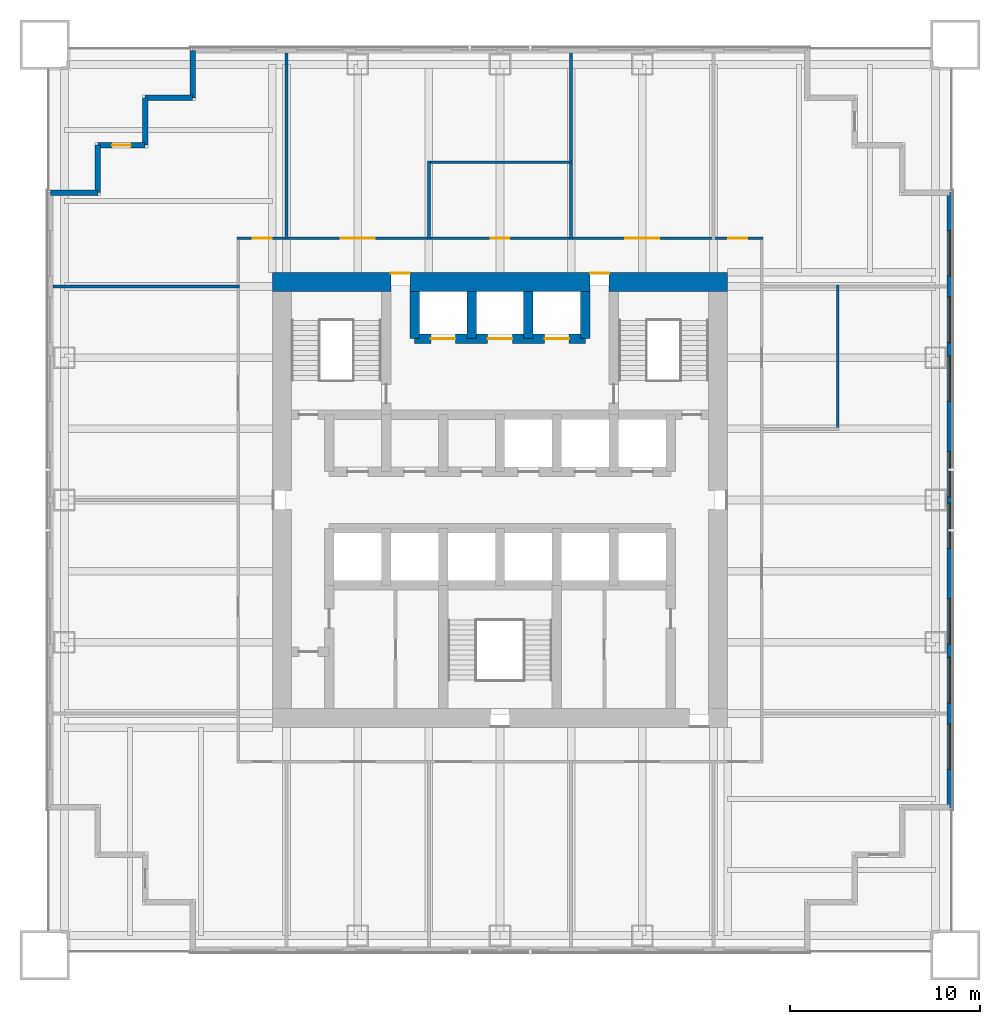
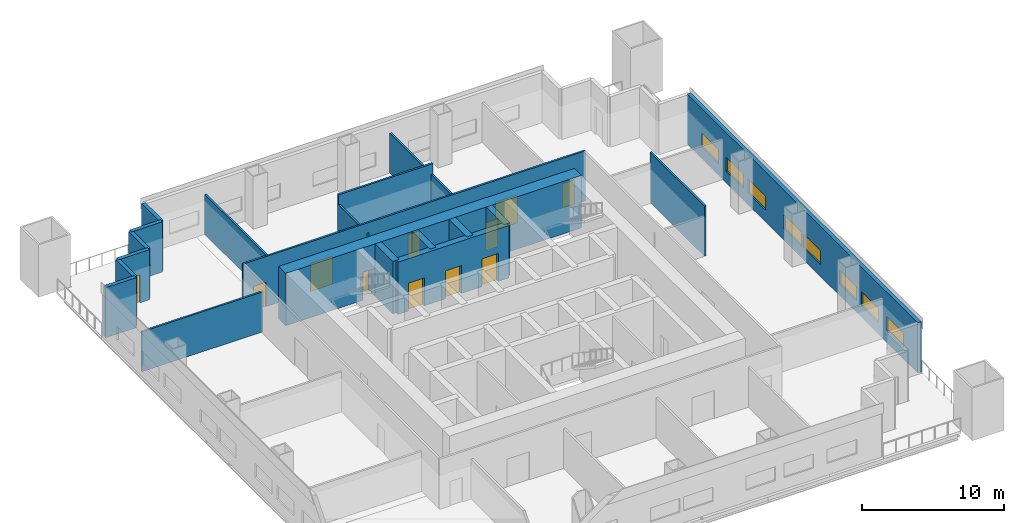
# One storey, part 4 of 7: 20 walls, 11 doors, 8 windows, 19 openings.
"""IFC4 building model written with IfcOpenShell, lengths in metres."""

from ifc_helpers import new_model, si_unit, direction, frame, frame_2d, origin, place, context, subcontext, project, spatial, rectangle, extrude, material, layer, layer_set, type_object, element, fill, save


model = new_model("IFC4")

# Units and contexts
model_context = context("Model", 3, precision=1e-05, world=origin(), true_north=direction((0.0, 1.0)))
body_context = subcontext(model_context, "Body", "Model", "MODEL_VIEW")
ifc_project = project(units=[si_unit("LENGTHUNIT", "METRE"), si_unit("AREAUNIT", "SQUARE_METRE"), si_unit("VOLUMEUNIT", "CUBIC_METRE"), si_unit("PLANEANGLEUNIT", "RADIAN"), si_unit("MASSUNIT", "GRAM", prefix="KILO")], contexts=[model_context])

# Site, building, storey
site_placement = place(None, origin())
site = spatial("IfcSite", under=ifc_project, at=site_placement, CompositionType="ELEMENT")
building_placement = place(site_placement, origin())
building = spatial("IfcBuilding", under=site, at=building_placement, Name="Tarangal Relay Tower", CompositionType="ELEMENT")
storey_placement = place(building_placement, frame((0.0, 0.0, 122.39990234375)))
storey = spatial("IfcBuildingStorey", under=building, at=storey_placement, Name="L24", CompositionType="ELEMENT", Elevation=122.39990234375)

# Wall, openings, doors
ifc_material_1 = material(Name="Concrete fc' 60 MPa", Category="concrete")
ifc_layer_1 = layer(ifc_material_1, 0.5)
ifc_layer_set_1 = layer_set([ifc_layer_1], Name="Core inner wall 500")
wall_type_1 = type_object("IfcWallType", Name="Core inner wall 500", PredefinedType="SHEAR", material=ifc_layer_set_1)
wall_1_placement = place(storey_placement, frame((-4.5, 8.5, 0.0), z_axis=(0.0, 0.0, 1.0), x_axis=(1.0, 0.0, 0.0)))
wall_1 = element("IfcWall", 1, at=wall_1_placement, inside=storey, type_object=wall_type_1, Name="Core wall Y85 L24", PredefinedType="SHEAR", context=body_context, shape_type="SweptSolid", body=[
    extrude(rectangle(XDim=9.0, YDim=0.5, at=frame_2d((4.5, 0.0))), origin(), (0.0, 0.0, 1.0), 4.5),
])
opening_1_placement = place(wall_1_placement, frame((0.85009765625, 0.0, 0.0)))
opening_1 = element("IfcOpeningElement", 2, at=opening_1_placement, cuts=wall_1, Name="Opening LD2", PredefinedType="OPENING", context=body_context, shape_type="SweptSolid", body=[
    extrude(rectangle(XDim=1.300048828125, YDim=2.39990234375, at=frame_2d((0.64990234375, 1.199951171875))), frame((0.0, 0.260009765625, 0.0), z_axis=(0.0, -1.0, 0.0), x_axis=(1.0, 0.0, 0.0)), (0.0, 0.0, 1.0), 0.52001953125),
])
opening_2_placement = place(wall_1_placement, frame((6.85009765625, 0.0, 0.0)))
opening_2 = element("IfcOpeningElement", 3, at=opening_2_placement, cuts=wall_1, Name="Opening LD2", PredefinedType="OPENING", context=body_context, shape_type="SweptSolid", body=[
    extrude(rectangle(XDim=1.300048828125, YDim=2.39990234375, at=frame_2d((0.64990234375, 1.199951171875))), frame((0.0, 0.260009765625, 0.0), z_axis=(0.0, -1.0, 0.0), x_axis=(1.0, 0.0, 0.0)), (0.0, 0.0, 1.0), 0.52001953125),
])
opening_3_placement = place(wall_1_placement, frame((3.85009765625, 0.0, 0.0)))
opening_3 = element("IfcOpeningElement", 4, at=opening_3_placement, cuts=wall_1, Name="Opening LD2", PredefinedType="OPENING", context=body_context, shape_type="SweptSolid", body=[
    extrude(rectangle(XDim=1.300048828125, YDim=2.39990234375, at=frame_2d((0.64990234375, 1.199951171875))), frame((0.0, 0.260009765625, 0.0), z_axis=(0.0, -1.0, 0.0), x_axis=(1.0, 0.0, 0.0)), (0.0, 0.0, 1.0), 0.52001953125),
])
ifc_material_2 = material(Name="Steel door with hardwood frame", Category="steel")
door_type_1 = type_object("IfcDoorType", Name="Lift landing door 1300 x 2400", OperationType="SLIDING_TO_LEFT", PredefinedType="DOOR", material=ifc_material_2)
door_1_placement = place(opening_1_placement, origin())
door_1 = element("IfcDoor", 5, at=door_1_placement, inside=storey, type_object=door_type_1, Name="Lift FF1 landing door L24", OperationType="SLIDING_TO_LEFT", OverallHeight=2.39990234375, OverallWidth=1.300048828125, PredefinedType="DOOR", context=body_context, shape_type="SweptSolid", body=[
    extrude(rectangle(XDim=1.300048828125, YDim=2.39990234375, at=frame_2d((0.64990234375, 1.199951171875))), frame((0.0, 0.02490234375, 0.0), z_axis=(0.0, -1.0, 0.0), x_axis=(1.0, 0.0, 0.0)), (0.0, 0.0, 1.0), 0.050048828125),
])
fill(opening_1, door_1)
door_2_placement = place(opening_2_placement, origin())
door_2 = element("IfcDoor", 6, at=door_2_placement, inside=storey, type_object=door_type_1, Name="Lift FF2 landing door L24", OperationType="SLIDING_TO_LEFT", OverallHeight=2.39990234375, OverallWidth=1.300048828125, PredefinedType="DOOR", context=body_context, shape_type="SweptSolid", body=[
    extrude(rectangle(XDim=1.300048828125, YDim=2.39990234375, at=frame_2d((0.64990234375, 1.199951171875))), frame((0.0, 0.02490234375, 0.0), z_axis=(0.0, -1.0, 0.0), x_axis=(1.0, 0.0, 0.0)), (0.0, 0.0, 1.0), 0.050048828125),
])
fill(opening_2, door_2)
door_3_placement = place(opening_3_placement, origin())
door_3 = element("IfcDoor", 7, at=door_3_placement, inside=storey, type_object=door_type_1, Name="Lift SV1 landing door L24", OperationType="SLIDING_TO_LEFT", OverallHeight=2.39990234375, OverallWidth=1.300048828125, PredefinedType="DOOR", context=body_context, shape_type="SweptSolid", body=[
    extrude(rectangle(XDim=1.300048828125, YDim=2.39990234375, at=frame_2d((0.64990234375, 1.199951171875))), frame((0.0, 0.02490234375, 0.0), z_axis=(0.0, -1.0, 0.0), x_axis=(1.0, 0.0, 0.0)), (0.0, 0.0, 1.0), 0.050048828125),
])
fill(opening_3, door_3)

# Walls
for number, where, z_axis, x_axis, name in (
    (8, (-4.5, 8.5, 0.0), (0.0, 0.0, 1.0), (0.0, 1.0, 0.0), "Core wall XM45 L24"),
    (9, (4.5, 8.5, 0.0), (0.0, 0.0, 1.0), (0.0, 1.0, 0.0), "Core wall X45 L24"),
    (10, (-1.5, 8.5, 0.0), (0.0, 0.0, 1.0), (0.0, 1.0, 0.0), "Core wall XM15 L24"),
    (11, (1.5, 8.5, 0.0), (0.0, 0.0, 1.0), (0.0, 1.0, 0.0), "Core wall X15 L24"),
):
    element("IfcWall", number, at=place(storey_placement, frame(where, z_axis=z_axis, x_axis=x_axis)), inside=storey, type_object=wall_type_1, Name=name, PredefinedType="SHEAR", context=body_context, shape_type="SweptSolid", body=[
        extrude(rectangle(XDim=2.5, YDim=0.5, at=frame_2d((1.25, 0.0))), origin(), (0.0, 0.0, 1.0), 4.5),
    ])

# Wall, openings, doors
ifc_layer_2 = layer(ifc_material_1, 1.0)
ifc_layer_set_2 = layer_set([ifc_layer_2], Name="Core wall 1000")
wall_type_2 = type_object("IfcWallType", Name="Core wall 1000", PredefinedType="SHEAR", material=ifc_layer_set_2)
wall_2_placement = place(storey_placement, frame((-12.0, 11.5, 0.0), z_axis=(0.0, 0.0, 1.0), x_axis=(1.0, 0.0, 0.0)))
wall_2 = element("IfcWall", 12, at=wall_2_placement, inside=storey, type_object=wall_type_2, Name="Core wall N L24", PredefinedType="SHEAR", context=body_context, shape_type="SweptSolid", body=[
    extrude(rectangle(XDim=24.0, YDim=1.0, at=frame_2d((12.0, 0.0))), origin(), (0.0, 0.0, 1.0), 4.5),
])
opening_4_placement = place(wall_2_placement, frame((6.25, 0.0, 0.0)))
opening_4 = element("IfcOpeningElement", 13, at=opening_4_placement, cuts=wall_2, Name="Opening FD3", PredefinedType="OPENING", context=body_context, shape_type="SweptSolid", body=[
    extrude(rectangle(XDim=1.0, YDim=2.39990234375, at=frame_2d((0.5, 1.199951171875))), frame((0.0, 0.510009765625, 0.0), z_axis=(0.0, -1.0, 0.0), x_axis=(1.0, 0.0, 0.0)), (0.0, 0.0, 1.0), 1.02001953125),
])
opening_5_placement = place(wall_2_placement, frame((16.75, 0.0, 0.0)))
opening_5 = element("IfcOpeningElement", 14, at=opening_5_placement, cuts=wall_2, Name="Opening FD3", PredefinedType="OPENING", context=body_context, shape_type="SweptSolid", body=[
    extrude(rectangle(XDim=1.0, YDim=2.39990234375, at=frame_2d((0.5, 1.199951171875))), frame((0.0, 0.510009765625, 0.0), z_axis=(0.0, -1.0, 0.0), x_axis=(1.0, 0.0, 0.0)), (0.0, 0.0, 1.0), 1.02001953125),
])
door_type_2 = type_object("IfcDoorType", Name="Fire door 1000 x 2400 core entry", OperationType="SINGLE_SWING_RIGHT", PredefinedType="DOOR", material=ifc_material_2)
door_4_placement = place(opening_4_placement, origin())
door_4 = element("IfcDoor", 15, at=door_4_placement, inside=storey, type_object=door_type_2, Name="Core entry door north west L24", OperationType="SINGLE_SWING_RIGHT", OverallHeight=2.39990234375, OverallWidth=1.0, PredefinedType="DOOR", context=body_context, shape_type="SweptSolid", body=[
    extrude(rectangle(XDim=1.0, YDim=2.39990234375, at=frame_2d((0.5, 1.199951171875))), frame((0.0, 0.48486328125, 0.0), z_axis=(0.0, -1.0, 0.0), x_axis=(1.0, 0.0, 0.0)), (0.0, 0.0, 1.0), 0.050048828125),
])
fill(opening_4, door_4)
door_5_placement = place(opening_5_placement, origin())
door_5 = element("IfcDoor", 16, at=door_5_placement, inside=storey, type_object=door_type_2, Name="Core entry door north east L24", OperationType="SINGLE_SWING_RIGHT", OverallHeight=2.39990234375, OverallWidth=1.0, PredefinedType="DOOR", context=body_context, shape_type="SweptSolid", body=[
    extrude(rectangle(XDim=1.0, YDim=2.39990234375, at=frame_2d((0.5, 1.199951171875))), frame((0.0, 0.48486328125, 0.0), z_axis=(0.0, -1.0, 0.0), x_axis=(1.0, 0.0, 0.0)), (0.0, 0.0, 1.0), 0.050048828125),
])
fill(opening_5, door_5)

# Wall, openings, windows
ifc_material_3 = material(Name="Insulated precast concrete fc' 40 MPa", Category="concrete")
ifc_layer_3 = layer(ifc_material_3, 0.300048828125)
ifc_layer_set_3 = layer_set([ifc_layer_3], Name="Insulated precast concrete fc' 40 MPa")
wall_type_3 = type_object("IfcWallType", Name="Facade wall precast 300", PredefinedType="SOLIDWALL", material=ifc_layer_set_3)
wall_3_placement = place(storey_placement, frame((23.699951171875, 16.199951171875, 0.0), z_axis=(0.0, 0.0, 1.0), x_axis=(0.0, -1.0, 0.0)))
wall_3 = element("IfcWall", 17, at=wall_3_placement, inside=storey, type_object=wall_type_3, Name="Facade wall E facade L24", PredefinedType="SOLIDWALL", context=body_context, shape_type="SweptSolid", body=[
    extrude(rectangle(XDim=32.39990234375, YDim=0.300048828125, at=frame_2d((16.199951171875, 0.0))), origin(), (0.0, 0.0, 1.0), 4.300048828125),
])
opening_6_placement = place(wall_3_placement, frame((2.0, 0.0, 1.0)))
opening_6 = element("IfcOpeningElement", 18, at=opening_6_placement, cuts=wall_3, Name="Opening WN1", PredefinedType="OPENING", context=body_context, shape_type="SweptSolid", body=[
    extrude(rectangle(XDim=2.39990234375, YDim=1.199951171875, at=frame_2d((1.199951171875, 0.60009765625))), frame((0.0, 0.159912109375, 0.0), z_axis=(0.0, -1.0, 0.0), x_axis=(1.0, 0.0, 0.0)), (0.0, 0.0, 1.0), 0.320068359375),
])
opening_7_placement = place(wall_3_placement, frame((5.5, 0.0, 1.0)))
opening_7 = element("IfcOpeningElement", 19, at=opening_7_placement, cuts=wall_3, Name="Opening WN1", PredefinedType="OPENING", context=body_context, shape_type="SweptSolid", body=[
    extrude(rectangle(XDim=2.39990234375, YDim=1.199951171875, at=frame_2d((1.199951171875, 0.60009765625))), frame((0.0, 0.159912109375, 0.0), z_axis=(0.0, -1.0, 0.0), x_axis=(1.0, 0.0, 0.0)), (0.0, 0.0, 1.0), 0.320068359375),
])
opening_8_placement = place(wall_3_placement, frame((8.60009765625, 0.0, 1.0)))
opening_8 = element("IfcOpeningElement", 20, at=opening_8_placement, cuts=wall_3, Name="Opening WN1", PredefinedType="OPENING", context=body_context, shape_type="SweptSolid", body=[
    extrude(rectangle(XDim=2.39990234375, YDim=1.199951171875, at=frame_2d((1.199951171875, 0.60009765625))), frame((0.0, 0.159912109375, 0.0), z_axis=(0.0, -1.0, 0.0), x_axis=(1.0, 0.0, 0.0)), (0.0, 0.0, 1.0), 0.320068359375),
])
opening_9_placement = place(wall_3_placement, frame((13.64990234375, 0.0, 1.0)))
opening_9 = element("IfcOpeningElement", 21, at=opening_9_placement, cuts=wall_3, Name="Opening WN1", PredefinedType="OPENING", context=body_context, shape_type="SweptSolid", body=[
    extrude(rectangle(XDim=2.39990234375, YDim=1.199951171875, at=frame_2d((1.199951171875, 0.60009765625))), frame((0.0, 0.159912109375, 0.0), z_axis=(0.0, -1.0, 0.0), x_axis=(1.0, 0.0, 0.0)), (0.0, 0.0, 1.0), 0.320068359375),
])
opening_10_placement = place(wall_3_placement, frame((16.35009765625, 0.0, 1.0)))
opening_10 = element("IfcOpeningElement", 22, at=opening_10_placement, cuts=wall_3, Name="Opening WN1", PredefinedType="OPENING", context=body_context, shape_type="SweptSolid", body=[
    extrude(rectangle(XDim=2.39990234375, YDim=1.199951171875, at=frame_2d((1.199951171875, 0.60009765625))), frame((0.0, 0.159912109375, 0.0), z_axis=(0.0, -1.0, 0.0), x_axis=(1.0, 0.0, 0.0)), (0.0, 0.0, 1.0), 0.320068359375),
])
opening_11_placement = place(wall_3_placement, frame((21.39990234375, 0.0, 1.0)))
opening_11 = element("IfcOpeningElement", 23, at=opening_11_placement, cuts=wall_3, Name="Opening WN1", PredefinedType="OPENING", context=body_context, shape_type="SweptSolid", body=[
    extrude(rectangle(XDim=2.39990234375, YDim=1.199951171875, at=frame_2d((1.199951171875, 0.60009765625))), frame((0.0, 0.159912109375, 0.0), z_axis=(0.0, -1.0, 0.0), x_axis=(1.0, 0.0, 0.0)), (0.0, 0.0, 1.0), 0.320068359375),
])
opening_12_placement = place(wall_3_placement, frame((24.5, 0.0, 1.0)))
opening_12 = element("IfcOpeningElement", 24, at=opening_12_placement, cuts=wall_3, Name="Opening WN1", PredefinedType="OPENING", context=body_context, shape_type="SweptSolid", body=[
    extrude(rectangle(XDim=2.39990234375, YDim=1.199951171875, at=frame_2d((1.199951171875, 0.60009765625))), frame((0.0, 0.159912109375, 0.0), z_axis=(0.0, -1.0, 0.0), x_axis=(1.0, 0.0, 0.0)), (0.0, 0.0, 1.0), 0.320068359375),
])
opening_13_placement = place(wall_3_placement, frame((28.0, 0.0, 1.0)))
opening_13 = element("IfcOpeningElement", 25, at=opening_13_placement, cuts=wall_3, Name="Opening WN1", PredefinedType="OPENING", context=body_context, shape_type="SweptSolid", body=[
    extrude(rectangle(XDim=2.39990234375, YDim=1.199951171875, at=frame_2d((1.199951171875, 0.60009765625))), frame((0.0, 0.159912109375, 0.0), z_axis=(0.0, -1.0, 0.0), x_axis=(1.0, 0.0, 0.0)), (0.0, 0.0, 1.0), 0.320068359375),
])
ifc_material_4 = material(Name="Dark tinted double glazing in black aluminium frame", Category="aluminium")
window_type = type_object("IfcWindowType", Name="Ribbon window 2400 x 1200", PartitioningType="SINGLE_PANEL", PredefinedType="WINDOW", material=ifc_material_4)
window_1_placement = place(opening_6_placement, origin())
window_1 = element("IfcWindow", 26, at=window_1_placement, inside=storey, type_object=window_type, Name="Ribbon window WN1 E facade L24", OverallHeight=1.199951171875, OverallWidth=2.39990234375, PartitioningType="SINGLE_PANEL", PredefinedType="WINDOW", context=body_context, shape_type="SweptSolid", body=[
    extrude(rectangle(XDim=2.39990234375, YDim=1.199951171875, at=frame_2d((1.199951171875, 0.60009765625))), frame((0.0, 0.030029296875, 0.0), z_axis=(0.0, -1.0, 0.0), x_axis=(1.0, 0.0, 0.0)), (0.0, 0.0, 1.0), 0.06005859375),
])
fill(opening_6, window_1)
window_2_placement = place(opening_7_placement, origin())
window_2 = element("IfcWindow", 27, at=window_2_placement, inside=storey, type_object=window_type, Name="Ribbon window WN1 E facade L24", OverallHeight=1.199951171875, OverallWidth=2.39990234375, PartitioningType="SINGLE_PANEL", PredefinedType="WINDOW", context=body_context, shape_type="SweptSolid", body=[
    extrude(rectangle(XDim=2.39990234375, YDim=1.199951171875, at=frame_2d((1.199951171875, 0.60009765625))), frame((0.0, 0.030029296875, 0.0), z_axis=(0.0, -1.0, 0.0), x_axis=(1.0, 0.0, 0.0)), (0.0, 0.0, 1.0), 0.06005859375),
])
fill(opening_7, window_2)
window_3_placement = place(opening_8_placement, origin())
window_3 = element("IfcWindow", 28, at=window_3_placement, inside=storey, type_object=window_type, Name="Ribbon window WN1 E facade L24", OverallHeight=1.199951171875, OverallWidth=2.39990234375, PartitioningType="SINGLE_PANEL", PredefinedType="WINDOW", context=body_context, shape_type="SweptSolid", body=[
    extrude(rectangle(XDim=2.39990234375, YDim=1.199951171875, at=frame_2d((1.199951171875, 0.60009765625))), frame((0.0, 0.030029296875, 0.0), z_axis=(0.0, -1.0, 0.0), x_axis=(1.0, 0.0, 0.0)), (0.0, 0.0, 1.0), 0.06005859375),
])
fill(opening_8, window_3)
window_4_placement = place(opening_9_placement, origin())
window_4 = element("IfcWindow", 29, at=window_4_placement, inside=storey, type_object=window_type, Name="Ribbon window WN1 E facade L24", OverallHeight=1.199951171875, OverallWidth=2.39990234375, PartitioningType="SINGLE_PANEL", PredefinedType="WINDOW", context=body_context, shape_type="SweptSolid", body=[
    extrude(rectangle(XDim=2.39990234375, YDim=1.199951171875, at=frame_2d((1.199951171875, 0.60009765625))), frame((0.0, 0.030029296875, 0.0), z_axis=(0.0, -1.0, 0.0), x_axis=(1.0, 0.0, 0.0)), (0.0, 0.0, 1.0), 0.06005859375),
])
fill(opening_9, window_4)
window_5_placement = place(opening_10_placement, origin())
window_5 = element("IfcWindow", 30, at=window_5_placement, inside=storey, type_object=window_type, Name="Ribbon window WN1 E facade L24", OverallHeight=1.199951171875, OverallWidth=2.39990234375, PartitioningType="SINGLE_PANEL", PredefinedType="WINDOW", context=body_context, shape_type="SweptSolid", body=[
    extrude(rectangle(XDim=2.39990234375, YDim=1.199951171875, at=frame_2d((1.199951171875, 0.60009765625))), frame((0.0, 0.030029296875, 0.0), z_axis=(0.0, -1.0, 0.0), x_axis=(1.0, 0.0, 0.0)), (0.0, 0.0, 1.0), 0.06005859375),
])
fill(opening_10, window_5)
window_6_placement = place(opening_11_placement, origin())
window_6 = element("IfcWindow", 31, at=window_6_placement, inside=storey, type_object=window_type, Name="Ribbon window WN1 E facade L24", OverallHeight=1.199951171875, OverallWidth=2.39990234375, PartitioningType="SINGLE_PANEL", PredefinedType="WINDOW", context=body_context, shape_type="SweptSolid", body=[
    extrude(rectangle(XDim=2.39990234375, YDim=1.199951171875, at=frame_2d((1.199951171875, 0.60009765625))), frame((0.0, 0.030029296875, 0.0), z_axis=(0.0, -1.0, 0.0), x_axis=(1.0, 0.0, 0.0)), (0.0, 0.0, 1.0), 0.06005859375),
])
fill(opening_11, window_6)
window_7_placement = place(opening_12_placement, origin())
window_7 = element("IfcWindow", 32, at=window_7_placement, inside=storey, type_object=window_type, Name="Ribbon window WN1 E facade L24", OverallHeight=1.199951171875, OverallWidth=2.39990234375, PartitioningType="SINGLE_PANEL", PredefinedType="WINDOW", context=body_context, shape_type="SweptSolid", body=[
    extrude(rectangle(XDim=2.39990234375, YDim=1.199951171875, at=frame_2d((1.199951171875, 0.60009765625))), frame((0.0, 0.030029296875, 0.0), z_axis=(0.0, -1.0, 0.0), x_axis=(1.0, 0.0, 0.0)), (0.0, 0.0, 1.0), 0.06005859375),
])
fill(opening_12, window_7)
window_8_placement = place(opening_13_placement, origin())
window_8 = element("IfcWindow", 33, at=window_8_placement, inside=storey, type_object=window_type, Name="Ribbon window WN1 E facade L24", OverallHeight=1.199951171875, OverallWidth=2.39990234375, PartitioningType="SINGLE_PANEL", PredefinedType="WINDOW", context=body_context, shape_type="SweptSolid", body=[
    extrude(rectangle(XDim=2.39990234375, YDim=1.199951171875, at=frame_2d((1.199951171875, 0.60009765625))), frame((0.0, 0.030029296875, 0.0), z_axis=(0.0, -1.0, 0.0), x_axis=(1.0, 0.0, 0.0)), (0.0, 0.0, 1.0), 0.06005859375),
])
fill(opening_13, window_8)

# Walls
for number, where, z_axis, x_axis, name in (
    (34, (-23.699951171875, 16.199951171875, 0.0), (0.0, 0.0, 1.0), (1.0, 0.0, 0.0), "Facade wall W facade L24"),
    (35, (-21.199951171875, 16.199951171875, 0.0), (0.0, 0.0, 1.0), (0.0, 1.0, 0.0), "Facade wall W facade L24"),
):
    element("IfcWall", number, at=place(storey_placement, frame(where, z_axis=z_axis, x_axis=x_axis)), inside=storey, type_object=wall_type_3, Name=name, PredefinedType="SOLIDWALL", context=body_context, shape_type="SweptSolid", body=[
        extrude(rectangle(XDim=2.5, YDim=0.300048828125, at=frame_2d((1.25, 0.0))), origin(), (0.0, 0.0, 1.0), 4.300048828125),
    ])

# Wall, opening, door
wall_4_placement = place(storey_placement, frame((-21.199951171875, 18.699951171875, 0.0), z_axis=(0.0, 0.0, 1.0), x_axis=(1.0, 0.0, 0.0)))
wall_4 = element("IfcWall", 36, at=wall_4_placement, inside=storey, type_object=wall_type_3, Name="Facade wall W facade L24", PredefinedType="SOLIDWALL", context=body_context, shape_type="SweptSolid", body=[
    extrude(rectangle(XDim=2.5, YDim=0.300048828125, at=frame_2d((1.25, 0.0))), origin(), (0.0, 0.0, 1.0), 4.300048828125),
])
opening_14_placement = place(wall_4_placement, frame((0.75, 0.0, 0.0)))
opening_14 = element("IfcOpeningElement", 37, at=opening_14_placement, cuts=wall_4, Name="Opening TD1", PredefinedType="OPENING", context=body_context, shape_type="SweptSolid", body=[
    extrude(rectangle(XDim=1.0, YDim=2.39990234375, at=frame_2d((0.5, 1.199951171875))), frame((0.0, 0.159912109375, 0.0), z_axis=(0.0, -1.0, 0.0), x_axis=(1.0, 0.0, 0.0)), (0.0, 0.0, 1.0), 0.320068359375),
])
ifc_material_5 = material(Name="Aluminium glazed door", Category="aluminium")
door_type_3 = type_object("IfcDoorType", Name="Terrace door 1000 x 2400", OperationType="SINGLE_SWING_RIGHT", PredefinedType="DOOR", material=ifc_material_5)
door_6_placement = place(opening_14_placement, origin())
door_6 = element("IfcDoor", 38, at=door_6_placement, inside=storey, type_object=door_type_3, Name="Terrace door TD1 NW L24", OperationType="SINGLE_SWING_RIGHT", OverallHeight=2.39990234375, OverallWidth=1.0, PredefinedType="DOOR", context=body_context, shape_type="SweptSolid", body=[
    extrude(rectangle(XDim=1.0, YDim=2.39990234375, at=frame_2d((0.5, 1.199951171875))), frame((0.0, 0.02490234375, 0.0), z_axis=(0.0, -1.0, 0.0), x_axis=(1.0, 0.0, 0.0)), (0.0, 0.0, 1.0), 0.050048828125),
])
fill(opening_14, door_6)

# Walls
for number, where, z_axis, x_axis, name in (
    (39, (-18.699951171875, 18.699951171875, 0.0), (0.0, 0.0, 1.0), (0.0, 1.0, 0.0), "Facade wall W facade L24"),
    (40, (-18.699951171875, 21.199951171875, 0.0), (0.0, 0.0, 1.0), (1.0, 0.0, 0.0), "Facade wall W facade L24"),
    (41, (-16.199951171875, 21.199951171875, 0.0), (0.0, 0.0, 1.0), (0.0, 1.0, 0.0), "Facade wall W facade L24"),
):
    element("IfcWall", number, at=place(storey_placement, frame(where, z_axis=z_axis, x_axis=x_axis)), inside=storey, type_object=wall_type_3, Name=name, PredefinedType="SOLIDWALL", context=body_context, shape_type="SweptSolid", body=[
        extrude(rectangle(XDim=2.5, YDim=0.300048828125, at=frame_2d((1.25, 0.0))), origin(), (0.0, 0.0, 1.0), 4.300048828125),
    ])
ifc_material_6 = material(Name="Gypsum board on steel studs", Category="steel")
ifc_layer_4 = layer(ifc_material_6, 0.14990234375)
ifc_layer_set_4 = layer_set([ifc_layer_4], Name="Partition 150")
wall_type_4 = type_object("IfcWallType", Name="Partition 150", PredefinedType="PARTITIONING", material=ifc_layer_set_4)
wall_5_placement = place(storey_placement, frame((-23.550048828125, 11.25, 0.0), z_axis=(0.0, 0.0, 1.0), x_axis=(1.0, 0.0, 0.0)))
element("IfcWall", 42, at=wall_5_placement, inside=storey, type_object=wall_type_4, Name="Partition PT1 L24", PredefinedType="PARTITIONING", context=body_context, shape_type="SweptSolid", body=[
    extrude(rectangle(XDim=9.824951171875, YDim=0.14990234375, at=frame_2d((4.91259765625, 0.0))), origin(), (0.0, 0.0, 1.0), 3.431396484375),
])

# Wall, openings, doors
wall_6_placement = place(storey_placement, frame((-13.875, 13.800048828125, 0.0), z_axis=(0.0, 0.0, 1.0), x_axis=(1.0, 0.0, 0.0)))
wall_6 = element("IfcWall", 43, at=wall_6_placement, inside=storey, type_object=wall_type_4, Name="Partition PT1 L24", PredefinedType="PARTITIONING", context=body_context, shape_type="SweptSolid", body=[
    extrude(rectangle(XDim=27.75, YDim=0.14990234375, at=frame_2d((13.875, 0.0))), origin(), (0.0, 0.0, 1.0), 4.300048828125),
])
opening_15_placement = place(wall_6_placement, frame((5.47509765625, 0.0, 0.0)))
opening_15 = element("IfcOpeningElement", 44, at=opening_15_placement, cuts=wall_6, Name="Opening DD1", PredefinedType="OPENING", context=body_context, shape_type="SweptSolid", body=[
    extrude(rectangle(XDim=1.800048828125, YDim=2.39990234375, at=frame_2d((0.89990234375, 1.199951171875))), frame((0.0, 0.0849609375, 0.0), z_axis=(0.0, -1.0, 0.0), x_axis=(1.0, 0.0, 0.0)), (0.0, 0.0, 1.0), 0.169921875),
])
opening_16_placement = place(wall_6_placement, frame((13.375, 0.0, 0.0)))
opening_16 = element("IfcOpeningElement", 45, at=opening_16_placement, cuts=wall_6, Name="Opening D2", PredefinedType="OPENING", context=body_context, shape_type="SweptSolid", body=[
    extrude(rectangle(XDim=1.0, YDim=2.10009765625, at=frame_2d((0.5, 1.050048828125))), frame((0.0, 0.0849609375, 0.0), z_axis=(0.0, -1.0, 0.0), x_axis=(1.0, 0.0, 0.0)), (0.0, 0.0, 1.0), 0.169921875),
])
opening_17_placement = place(wall_6_placement, frame((20.47509765625, 0.0, 0.0)))
opening_17 = element("IfcOpeningElement", 46, at=opening_17_placement, cuts=wall_6, Name="Opening DD1", PredefinedType="OPENING", context=body_context, shape_type="SweptSolid", body=[
    extrude(rectangle(XDim=1.800048828125, YDim=2.39990234375, at=frame_2d((0.89990234375, 1.199951171875))), frame((0.0, 0.0849609375, 0.0), z_axis=(0.0, -1.0, 0.0), x_axis=(1.0, 0.0, 0.0)), (0.0, 0.0, 1.0), 0.169921875),
])
opening_18_placement = place(wall_6_placement, frame((25.89990234375, 0.0, 0.0)))
opening_18 = element("IfcOpeningElement", 47, at=opening_18_placement, cuts=wall_6, Name="Opening D2", PredefinedType="OPENING", context=body_context, shape_type="SweptSolid", body=[
    extrude(rectangle(XDim=1.0, YDim=2.10009765625, at=frame_2d((0.5, 1.050048828125))), frame((0.0, 0.0849609375, 0.0), z_axis=(0.0, -1.0, 0.0), x_axis=(1.0, 0.0, 0.0)), (0.0, 0.0, 1.0), 0.169921875),
])
opening_19_placement = place(wall_6_placement, frame((0.85009765625, 0.0, 0.0)))
opening_19 = element("IfcOpeningElement", 48, at=opening_19_placement, cuts=wall_6, Name="Opening D2", PredefinedType="OPENING", context=body_context, shape_type="SweptSolid", body=[
    extrude(rectangle(XDim=1.0, YDim=2.10009765625, at=frame_2d((0.5, 1.050048828125))), frame((0.0, 0.0849609375, 0.0), z_axis=(0.0, -1.0, 0.0), x_axis=(1.0, 0.0, 0.0)), (0.0, 0.0, 1.0), 0.169921875),
])
ifc_material_7 = material(Name="Hardwood door", Category="wood")
door_type_4 = type_object("IfcDoorType", Name="Door 1000 x 2100", OperationType="SINGLE_SWING_LEFT", PredefinedType="DOOR", material=ifc_material_7)
door_7_placement = place(opening_16_placement, origin())
door_7 = element("IfcDoor", 49, at=door_7_placement, inside=storey, type_object=door_type_4, Name="Door D2 to carrier meeting room L24-03", OperationType="SINGLE_SWING_LEFT", OverallHeight=2.10009765625, OverallWidth=1.0, PredefinedType="DOOR", context=body_context, shape_type="SweptSolid", body=[
    extrude(rectangle(XDim=1.0, YDim=2.10009765625, at=frame_2d((0.5, 1.050048828125))), frame((0.0, 0.02490234375, 0.0), z_axis=(0.0, -1.0, 0.0), x_axis=(1.0, 0.0, 0.0)), (0.0, 0.0, 1.0), 0.050048828125),
])
fill(opening_16, door_7)
door_8_placement = place(opening_18_placement, origin())
door_8 = element("IfcDoor", 50, at=door_8_placement, inside=storey, type_object=door_type_4, Name="Door D2 to carrier staff office L24-12", OperationType="SINGLE_SWING_LEFT", OverallHeight=2.10009765625, OverallWidth=1.0, PredefinedType="DOOR", context=body_context, shape_type="SweptSolid", body=[
    extrude(rectangle(XDim=1.0, YDim=2.10009765625, at=frame_2d((0.5, 1.050048828125))), frame((0.0, 0.02490234375, 0.0), z_axis=(0.0, -1.0, 0.0), x_axis=(1.0, 0.0, 0.0)), (0.0, 0.0, 1.0), 0.050048828125),
])
fill(opening_18, door_8)
door_9_placement = place(opening_19_placement, origin())
door_9 = element("IfcDoor", 51, at=door_9_placement, inside=storey, type_object=door_type_4, Name="Door D2 to rack staging room L24-15", OperationType="SINGLE_SWING_LEFT", OverallHeight=2.10009765625, OverallWidth=1.0, PredefinedType="DOOR", context=body_context, shape_type="SweptSolid", body=[
    extrude(rectangle(XDim=1.0, YDim=2.10009765625, at=frame_2d((0.5, 1.050048828125))), frame((0.0, 0.02490234375, 0.0), z_axis=(0.0, -1.0, 0.0), x_axis=(1.0, 0.0, 0.0)), (0.0, 0.0, 1.0), 0.050048828125),
])
fill(opening_19, door_9)
door_type_5 = type_object("IfcDoorType", Name="Equipment double door 1800 x 2400", OperationType="DOUBLE_DOOR_SINGLE_SWING", PredefinedType="DOOR", material=ifc_material_2)
door_10_placement = place(opening_15_placement, origin())
door_10 = element("IfcDoor", 52, at=door_10_placement, inside=storey, type_object=door_type_5, Name="Door DD1 to carrier equipment room L24-02", OperationType="DOUBLE_DOOR_SINGLE_SWING", OverallHeight=2.39990234375, OverallWidth=1.800048828125, PredefinedType="DOOR", context=body_context, shape_type="SweptSolid", body=[
    extrude(rectangle(XDim=1.800048828125, YDim=2.39990234375, at=frame_2d((0.89990234375, 1.199951171875))), frame((0.0, 0.02490234375, 0.0), z_axis=(0.0, -1.0, 0.0), x_axis=(1.0, 0.0, 0.0)), (0.0, 0.0, 1.0), 0.050048828125),
])
fill(opening_15, door_10)
door_11_placement = place(opening_17_placement, origin())
door_11 = element("IfcDoor", 53, at=door_11_placement, inside=storey, type_object=door_type_5, Name="Door DD1 to carrier equipment room L24-04", OperationType="DOUBLE_DOOR_SINGLE_SWING", OverallHeight=2.39990234375, OverallWidth=1.800048828125, PredefinedType="DOOR", context=body_context, shape_type="SweptSolid", body=[
    extrude(rectangle(XDim=1.800048828125, YDim=2.39990234375, at=frame_2d((0.89990234375, 1.199951171875))), frame((0.0, 0.02490234375, 0.0), z_axis=(0.0, -1.0, 0.0), x_axis=(1.0, 0.0, 0.0)), (0.0, 0.0, 1.0), 0.050048828125),
])
fill(opening_17, door_11)

# Walls
wall_7_placement = place(storey_placement, frame((-3.824951171875, 17.800048828125, 0.0), z_axis=(0.0, 0.0, 1.0), x_axis=(1.0, 0.0, 0.0)))
element("IfcWall", 54, at=wall_7_placement, inside=storey, type_object=wall_type_4, Name="Partition PT1 L24", PredefinedType="PARTITIONING", context=body_context, shape_type="SweptSolid", body=[
    extrude(rectangle(XDim=7.64990234375, YDim=0.14990234375, at=frame_2d((3.824951171875, 0.0))), origin(), (0.0, 0.0, 1.0), 4.300048828125),
])
wall_8_placement = place(storey_placement, frame((-11.25, 13.72509765625, 0.0), z_axis=(0.0, 0.0, 1.0), x_axis=(0.0, 1.0, 0.0)))
element("IfcWall", 55, at=wall_8_placement, inside=storey, type_object=wall_type_4, Name="Partition PT1 L24", PredefinedType="PARTITIONING", context=body_context, shape_type="SweptSolid", body=[
    extrude(rectangle(XDim=9.824951171875, YDim=0.14990234375, at=frame_2d((4.91259765625, 0.0))), origin(), (0.0, 0.0, 1.0), 3.431396484375),
])
wall_9_placement = place(storey_placement, frame((-3.75, 13.72509765625, 0.0), z_axis=(0.0, 0.0, 1.0), x_axis=(0.0, 1.0, 0.0)))
element("IfcWall", 56, at=wall_9_placement, inside=storey, type_object=wall_type_4, Name="Partition PT1 L24", PredefinedType="PARTITIONING", context=body_context, shape_type="SweptSolid", body=[
    extrude(rectangle(XDim=4.14990234375, YDim=0.14990234375, at=frame_2d((2.074951171875, 0.0))), origin(), (0.0, 0.0, 1.0), 3.431396484375),
])
wall_10_placement = place(storey_placement, frame((3.75, 13.72509765625, 0.0), z_axis=(0.0, 0.0, 1.0), x_axis=(0.0, 1.0, 0.0)))
element("IfcWall", 57, at=wall_10_placement, inside=storey, type_object=wall_type_4, Name="Partition PT1 L24", PredefinedType="PARTITIONING", context=body_context, shape_type="SweptSolid", body=[
    extrude(rectangle(XDim=9.824951171875, YDim=0.14990234375, at=frame_2d((4.91259765625, 0.0))), origin(), (0.0, 0.0, 1.0), 3.431396484375),
])
wall_11_placement = place(storey_placement, frame((17.800048828125, 3.675048828125, 0.0), z_axis=(0.0, 0.0, 1.0), x_axis=(0.0, 1.0, 0.0)))
element("IfcWall", 58, at=wall_11_placement, inside=storey, type_object=wall_type_4, Name="Partition PT1 L24", PredefinedType="PARTITIONING", context=body_context, shape_type="SweptSolid", body=[
    extrude(rectangle(XDim=7.64990234375, YDim=0.14990234375, at=frame_2d((3.824951171875, 0.0))), origin(), (0.0, 0.0, 1.0), 4.300048828125),
])

save(model, "model.ifc")
